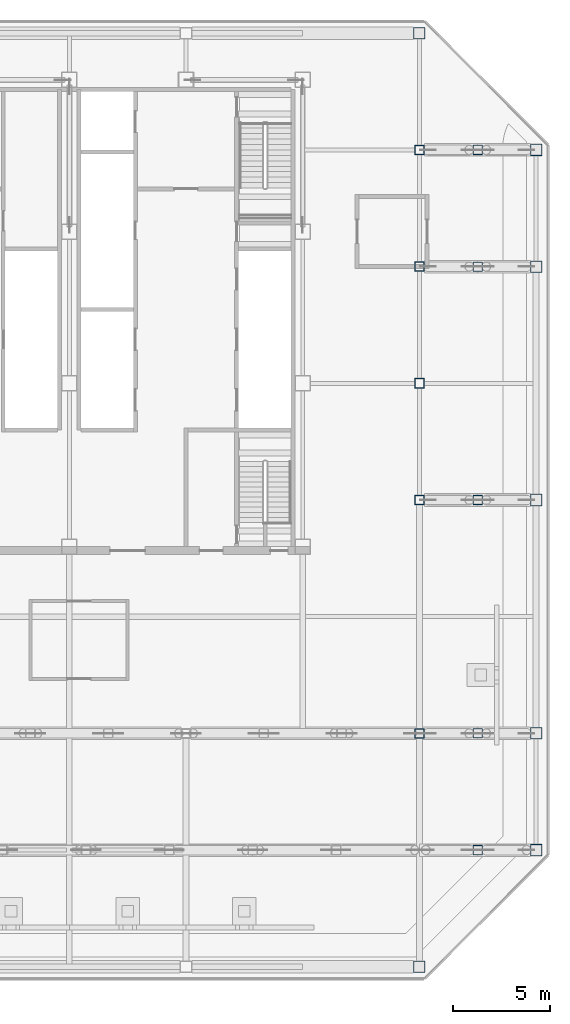
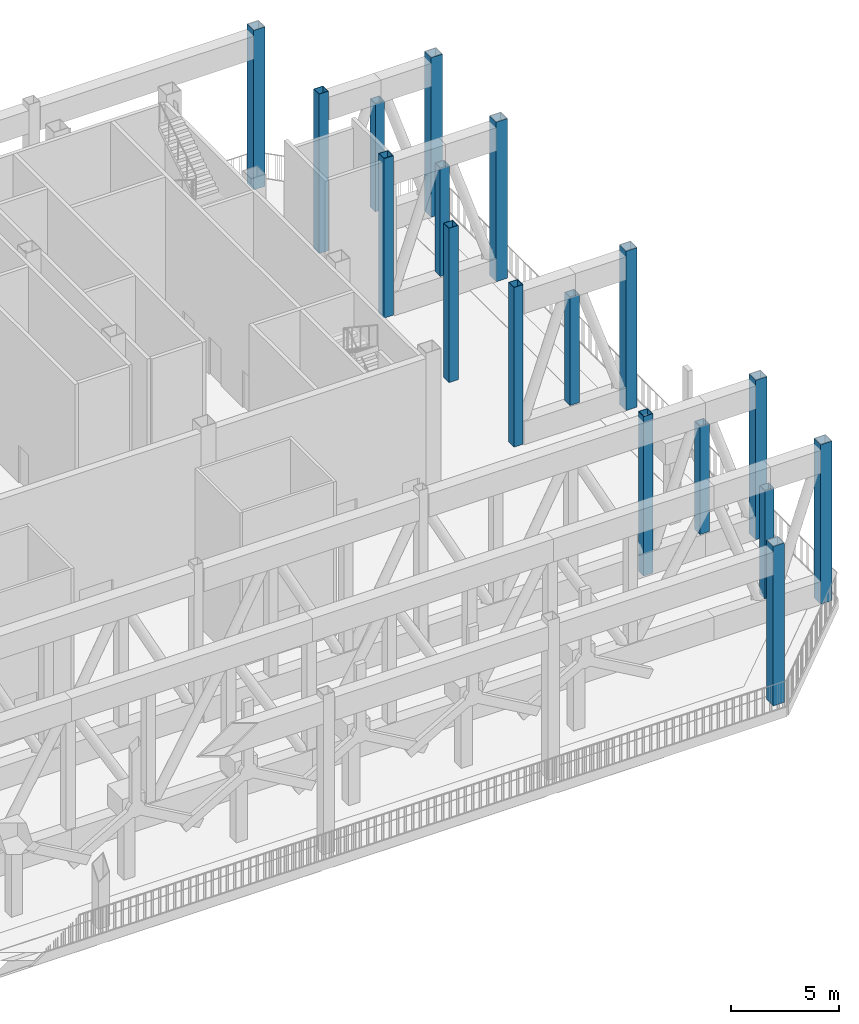
# One storey, part 2 of 22: 17 columns.
"""IFC4 building model written with IfcOpenShell, lengths in metres."""

import ifcopenshell
import ifcopenshell.guid

model = None  # the IFC model being written
_history = None  # IfcOwnerHistory: only IFC2X3 demands one
_inside = {}  # id of a spatial element -> (the spatial element, [elements in it])
_under = {}  # id of a project, library or spatial element -> (it, [spatial elements below it])
_declared = {}  # id of a project -> (the project, [libraries it declares])
_typed = {}  # id of a type object -> (the type object, [elements of that type])
_made_of = {}  # id of a material, layer set ... -> (it, [elements and type objects made of it])


def new_model(schema):
    """Start an empty IFC model of exactly this schema.

    Asked for "IFC4X3", IfcOpenShell would pick the latest addendum, in which some entities
    have other attributes; the version numbers below select the first issue.
    IFC2X3 requires an IfcOwnerHistory on every rooted entity: one is made here for all.
    """
    global model, _history
    if schema == "IFC4X3":
        model = ifcopenshell.file(schema_version=(4, 3, 0, 0))
    else:
        model = ifcopenshell.file(schema=schema)
    _inside.clear()
    _under.clear()
    _declared.clear()
    _typed.clear()
    _made_of.clear()
    _history = None
    if model.schema == "IFC2X3":
        org = make("IfcOrganization", Name="unknown")
        user = make(
            "IfcPersonAndOrganization",
            ThePerson=make("IfcPerson", FamilyName="unknown"),
            TheOrganization=org,
        )
        app = make(
            "IfcApplication",
            ApplicationDeveloper=org,
            Version="unknown",
            ApplicationFullName="unknown",
            ApplicationIdentifier="unknown",
        )
        _history = make(
            "IfcOwnerHistory",
            OwningUser=user,
            OwningApplication=app,
            ChangeAction="ADDED",
            CreationDate=0,
        )
    return model


def make(cls, **values):
    """One entity of the class cls with the attributes given. An attribute that is None is left unset."""
    return model.create_entity(
        cls, **{name: value for name, value in values.items() if value is not None}
    )


def rooted(cls, **values):
    """An entity with a GlobalId (a new one), such as an element, a storey or a relation."""
    return make(cls, GlobalId=ifcopenshell.guid.new(), OwnerHistory=_history, **values)


def si_unit(unit_type, name, prefix=None):
    """IfcSIUnit, for example si_unit("LENGTHUNIT", "METRE", prefix="MILLI")."""
    return make("IfcSIUnit", UnitType=unit_type, Prefix=prefix, Name=name)


def assignment(units):
    """IfcUnitAssignment: the units of a project."""
    return None if units is None else make("IfcUnitAssignment", Units=units)


def point(xyz):
    """IfcCartesianPoint."""
    return None if xyz is None else make("IfcCartesianPoint", Coordinates=xyz)


def direction(xyz):
    """IfcDirection."""
    return None if xyz is None else make("IfcDirection", DirectionRatios=xyz)


def frame(location, z_axis=None, x_axis=None):
    """IfcAxis2Placement3D, a coordinate frame: its origin and axes. An axis left out is left unset."""
    return make(
        "IfcAxis2Placement3D",
        Location=point(location),
        Axis=direction(z_axis),
        RefDirection=direction(x_axis),
    )


def frame_2d(location, x_axis=None):
    """IfcAxis2Placement2D, a coordinate frame in the plane: its origin and x axis."""
    return make(
        "IfcAxis2Placement2D", Location=point(location), RefDirection=direction(x_axis)
    )


def origin():
    """The frame at (0, 0, 0) with its axes left unset."""
    return frame((0.0, 0.0, 0.0))


def origin_2d():
    """The frame at (0, 0) in the plane with its x axis left unset."""
    return frame_2d((0.0, 0.0))


def place(relative_to, where):
    """IfcLocalPlacement: puts the frame where relative to a parent placement (None: the world)."""
    return make(
        "IfcLocalPlacement", PlacementRelTo=relative_to, RelativePlacement=where
    )


def context(
    kind, dimensions, precision=None, world=None, true_north=None, identifier=None
):
    """IfcGeometricRepresentationContext, for example the 3D "Model" context."""
    return make(
        "IfcGeometricRepresentationContext",
        ContextIdentifier=identifier,
        ContextType=kind,
        CoordinateSpaceDimension=dimensions,
        Precision=precision,
        WorldCoordinateSystem=world,
        TrueNorth=true_north,
    )


def subcontext(parent, identifier, kind, view, scale=None):
    """IfcGeometricRepresentationSubContext, for example "Body" below "Model"."""
    return make(
        "IfcGeometricRepresentationSubContext",
        ContextIdentifier=identifier,
        ContextType=kind,
        ParentContext=parent,
        TargetScale=scale,
        TargetView=view,
    )


def project(units=None, contexts=None):
    """IfcProject with its units and contexts."""
    return rooted(
        "IfcProject",
        Name="project",
        RepresentationContexts=contexts,
        UnitsInContext=assignment(units),
    )


def spatial(cls, under=None, at=None, **own):
    """A site, building, storey or space (cls), placed at a placement, below another one or the project."""
    s = rooted(cls, ObjectPlacement=at, **own)
    if under is not None:
        _under.setdefault(under.id(), (under, []))[1].append(s)
    return s


def profile(cls, at=None, kind="AREA", **sizes):
    """A parametric profile (cls). Its sizes go by their IFC names, for example OverallWidth=200.0."""
    return make(cls, ProfileType=kind, Position=at, **sizes)


def hollow_rectangle(**sizes):
    """IfcRectangleHollowProfileDef."""
    return profile("IfcRectangleHollowProfileDef", **sizes)


def extrude(swept, where, along, depth):
    """IfcExtrudedAreaSolid: the profile swept, set in the frame where, extruded along a direction by depth."""
    return make(
        "IfcExtrudedAreaSolid",
        SweptArea=swept,
        Position=where,
        ExtrudedDirection=direction(along),
        Depth=depth,
    )


def shape(context_of_items, identifier, shape_type, items):
    """IfcShapeRepresentation: the items that make up one representation, for example the "Body"."""
    return make(
        "IfcShapeRepresentation",
        ContextOfItems=context_of_items,
        RepresentationIdentifier=identifier,
        RepresentationType=shape_type,
        Items=items,
    )


def material(Name=None, Category=None):
    """IfcMaterial."""
    return make("IfcMaterial", Name=Name, Category=Category)


def material_profile(
    of_material, cross_section, Name=None, Category=None, Priority=None
):
    """IfcMaterialProfile: a cross section and its material."""
    return make(
        "IfcMaterialProfile",
        Name=Name,
        Material=of_material,
        Profile=cross_section,
        Priority=Priority,
        Category=Category,
    )


def profile_set(profiles, Name=None, composite=None):
    """IfcMaterialProfileSet."""
    return make(
        "IfcMaterialProfileSet",
        Name=Name,
        MaterialProfiles=profiles,
        CompositeProfile=composite,
    )


def made_of(thing, what):
    """Note that an element or type object is made of a material, layer set ...; save() writes the relation."""
    if what is not None:
        _made_of.setdefault(what.id(), (what, []))[1].append(thing)
    return thing


def type_object(cls, material=None, **own):
    """A type object (cls), such as IfcWallType, which elements share."""
    return made_of(rooted(cls, **own), material)


def element(
    cls,
    number,
    at=None,
    inside=None,
    cuts=None,
    type_object=None,
    material=None,
    context=None,
    identifier="Body",
    shape_type=None,
    held_by="IfcProductDefinitionShape",
    body=None,
    shapes=None,
    **own,
):
    """One element of the class cls, such as IfcWall. Its Tag is "e" and its number.

    at: its placement. inside: the storey or other place that contains it. cuts: it is an
    opening in that element (IfcRelVoidsElement). A single representation is given by context,
    identifier, shape_type and body (its items); several are given by shapes. held_by: the class
    of the entity that holds the representations. save() writes the other relations.
    """
    e = rooted(cls, Tag="e%d" % number, ObjectPlacement=at, **own)
    if body is not None:
        shapes = [shape(context, identifier, shape_type, body)]
    if shapes is not None:
        e.Representation = make(held_by, Representations=shapes)
    if inside is not None:
        _inside.setdefault(inside.id(), (inside, []))[1].append(e)
    if cuts is not None:
        rooted(
            "IfcRelVoidsElement", RelatingBuildingElement=cuts, RelatedOpeningElement=e
        )
    if type_object is not None:
        _typed.setdefault(type_object.id(), (type_object, []))[1].append(e)
    return made_of(e, material)


def aggregate(whole, parts):
    """IfcRelAggregates: a whole, such as a stair, and the parts it consists of."""
    return rooted("IfcRelAggregates", RelatingObject=whole, RelatedObjects=parts)


def save(model, path):
    """Write the relations noted so far, then the file.

    IfcRelAggregates (storeys below a building ...), IfcRelContainedInSpatialStructure (elements
    in a storey), IfcRelDefinesByType, IfcRelAssociatesMaterial and IfcRelDeclares: one each for
    every whole, place, type object, material and project.
    """
    for whole, parts in _under.values():
        aggregate(whole, parts)
    for where, things in _inside.values():
        rooted(
            "IfcRelContainedInSpatialStructure",
            RelatedElements=things,
            RelatingStructure=where,
        )
    for kind, things in _typed.values():
        rooted("IfcRelDefinesByType", RelatedObjects=things, RelatingType=kind)
    for what, things in _made_of.values():
        rooted("IfcRelAssociatesMaterial", RelatedObjects=things, RelatingMaterial=what)
    for by, libraries in _declared.values():
        rooted("IfcRelDeclares", RelatingContext=by, RelatedDefinitions=libraries)
    model.write(path)


model = new_model("IFC4")

# Units and contexts
model_context = context("Model", 3, precision=1e-05, world=origin(), true_north=direction((0.0, 1.0)))
body_context = subcontext(model_context, "Body", "Model", "MODEL_VIEW")
ifc_project = project(units=[si_unit("LENGTHUNIT", "METRE"), si_unit("AREAUNIT", "SQUARE_METRE"), si_unit("VOLUMEUNIT", "CUBIC_METRE"), si_unit("PLANEANGLEUNIT", "RADIAN"), si_unit("MASSUNIT", "GRAM", prefix="KILO")], contexts=[model_context])

# Site, building, storey
site_placement = place(None, origin())
site = spatial("IfcSite", under=ifc_project, at=site_placement, CompositionType="ELEMENT")
building_placement = place(site_placement, origin())
building = spatial("IfcBuilding", under=site, at=building_placement, Name="Sorahane Residences", CompositionType="ELEMENT")
storey_placement = place(building_placement, frame((0.0, 0.0, 281.800048828125)))
storey = spatial("IfcBuildingStorey", under=building, at=storey_placement, Name="L67", CompositionType="ELEMENT", Elevation=281.800048828125)

# Columns
ifc_material_1 = material(Name="Steel Q355B", Category="steel")
ifc_material_profile_1 = material_profile(ifc_material_1, hollow_rectangle(XDim=0.5, YDim=0.5, WallThickness=0.02490234375, at=origin_2d()), Name="BOX 500x500x25")
ifc_profile_set_1 = profile_set([ifc_material_profile_1], Name="Steel Q355B")
column_type_1 = type_object("IfcColumnType", Name="Steel box column BOX 500x500x25 Q355B", PredefinedType="COLUMN", material=ifc_profile_set_1)
for number, where, z_axis, x_axis, name in (
    (1, (48.0, 12.0, 0.0), (0.0, 0.0, 1.0), (1.0, 0.0, 0.0), "Column L67 48/12"),
    (2, (48.0, 24.0, 0.0), (0.0, 0.0, 1.0), (1.0, 0.0, 0.0), "Column L67 48/24"),
):
    element("IfcColumn", number, at=place(storey_placement, frame(where, z_axis=z_axis, x_axis=x_axis)), inside=storey, type_object=column_type_1, Name=name, PredefinedType="COLUMN", context=body_context, shape_type="SweptSolid", body=[
        extrude(hollow_rectangle(XDim=0.5, YDim=0.5, WallThickness=0.02490234375, at=origin_2d()), origin(), (0.0, 0.0, 1.0), 9.0),
    ])
column_placement = place(storey_placement, frame((48.0, 30.0, 0.0), z_axis=(0.0, 0.0, 1.0), x_axis=(1.0, 0.0, 0.0)))
element("IfcColumn", 3, at=column_placement, inside=storey, type_object=column_type_1, Name="Column L67 48/30", PredefinedType="COLUMN", context=body_context, shape_type="SweptSolid", body=[
    extrude(hollow_rectangle(XDim=0.5, YDim=0.5, WallThickness=0.02490234375, at=origin_2d()), origin(), (0.0, 0.0, 1.0), 8.699951171875),
])
for number, where, z_axis, x_axis, name in (
    (4, (48.0, 36.0, 0.0), (0.0, 0.0, 1.0), (1.0, 0.0, 0.0), "Column L67 48/36"),
    (5, (48.0, 42.0, 0.0), (0.0, 0.0, 1.0), (1.0, 0.0, 0.0), "Column L67 48/42"),
):
    element("IfcColumn", number, at=place(storey_placement, frame(where, z_axis=z_axis, x_axis=x_axis)), inside=storey, type_object=column_type_1, Name=name, PredefinedType="COLUMN", context=body_context, shape_type="SweptSolid", body=[
        extrude(hollow_rectangle(XDim=0.5, YDim=0.5, WallThickness=0.02490234375, at=origin_2d()), origin(), (0.0, 0.0, 1.0), 9.0),
    ])
ifc_material_2 = material(Name="Steel Q355B", Category="steel")
ifc_material_profile_2 = material_profile(ifc_material_2, hollow_rectangle(XDim=0.60009765625, YDim=0.60009765625, WallThickness=0.028076171875, at=origin_2d()), Name="BOX 600x600x28")
ifc_profile_set_2 = profile_set([ifc_material_profile_2], Name="Steel Q355B")
column_type_2 = type_object("IfcColumnType", Name="Steel box column BOX 600x600x28 Q355B", PredefinedType="COLUMN", material=ifc_profile_set_2)
for number, where, z_axis, x_axis, name in (
    (6, (48.0, 0.0, 0.0), (0.0, 0.0, 1.0), (1.0, 0.0, 0.0), "Column L67 48/0"),
    (7, (48.0, 48.0, 0.0), (0.0, 0.0, 1.0), (1.0, 0.0, 0.0), "Column L67 48/48"),
    (8, (54.0, 6.0, 0.0), (0.0, 0.0, 1.0), (1.0, 0.0, 0.0), "Column L67 54/6"),
    (9, (54.0, 12.0, 0.0), (0.0, 0.0, 1.0), (1.0, 0.0, 0.0), "Column L67 54/12"),
    (10, (54.0, 24.0, 0.0), (0.0, 0.0, 1.0), (1.0, 0.0, 0.0), "Column L67 54/24"),
    (11, (54.0, 36.0, 0.0), (0.0, 0.0, 1.0), (1.0, 0.0, 0.0), "Column L67 54/36"),
    (12, (54.0, 42.0, 0.0), (0.0, 0.0, 1.0), (1.0, 0.0, 0.0), "Column L67 54/42"),
):
    element("IfcColumn", number, at=place(storey_placement, frame(where, z_axis=z_axis, x_axis=x_axis)), inside=storey, type_object=column_type_2, Name=name, PredefinedType="COLUMN", context=body_context, shape_type="SweptSolid", body=[
        extrude(hollow_rectangle(XDim=0.60009765625, YDim=0.60009765625, WallThickness=0.028076171875, at=origin_2d()), origin(), (0.0, 0.0, 1.0), 9.0),
    ])
ifc_material_3 = material(Name="Steel Q420GJ", Category="steel")
ifc_material_profile_3 = material_profile(ifc_material_3, hollow_rectangle(XDim=0.5, YDim=0.5, WallThickness=0.031982421875, at=origin_2d()), Name="BOX 500x500x32")
ifc_profile_set_3 = profile_set([ifc_material_profile_3], Name="Steel Q420GJ")
column_type_3 = type_object("IfcColumnType", Name="Truss post BOX 500x500x32 Q420GJ", PredefinedType="COLUMN", material=ifc_profile_set_3)
for number, where, z_axis, x_axis, name in (
    (13, (51.0, 6.0, 1.300048828125), (0.0, 0.0, 1.0), (1.0, 0.0, 0.0), "Truss post L67"),
    (14, (51.0, 12.0, 1.300048828125), (0.0, 0.0, 1.0), (1.0, 0.0, 0.0), "Truss post L67"),
    (15, (51.0, 24.0, 1.300048828125), (0.0, 0.0, 1.0), (1.0, 0.0, 0.0), "Truss post L67"),
    (16, (51.0, 36.0, 1.300048828125), (0.0, 0.0, 1.0), (1.0, 0.0, 0.0), "Truss post L67"),
    (17, (51.0, 42.0, 1.300048828125), (0.0, 0.0, 1.0), (1.0, 0.0, 0.0), "Truss post L67"),
):
    element("IfcColumn", number, at=place(storey_placement, frame(where, z_axis=z_axis, x_axis=x_axis)), inside=storey, type_object=column_type_3, Name=name, PredefinedType="COLUMN", context=body_context, shape_type="SweptSolid", body=[
        extrude(hollow_rectangle(XDim=0.5, YDim=0.5, WallThickness=0.031982421875, at=origin_2d()), origin(), (0.0, 0.0, 1.0), 6.099853515625),
    ])

save(model, "model.ifc")
